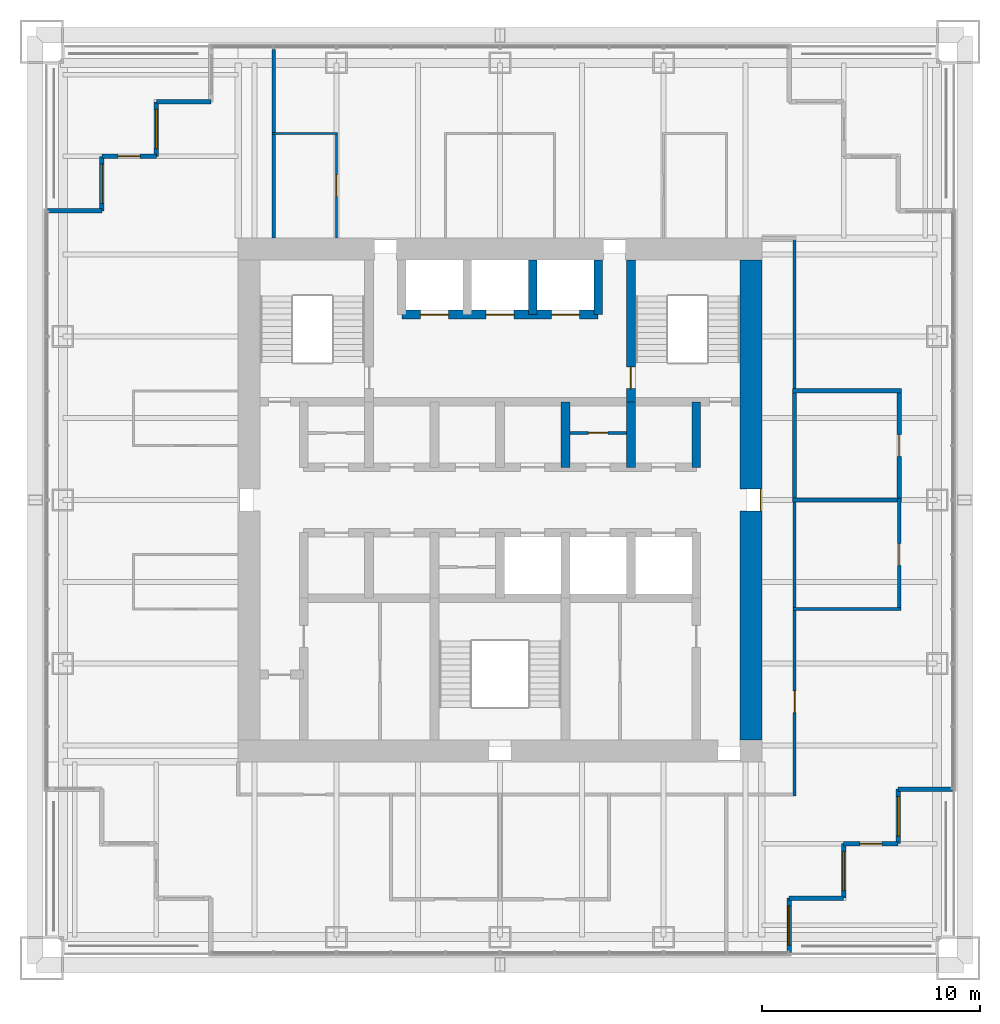
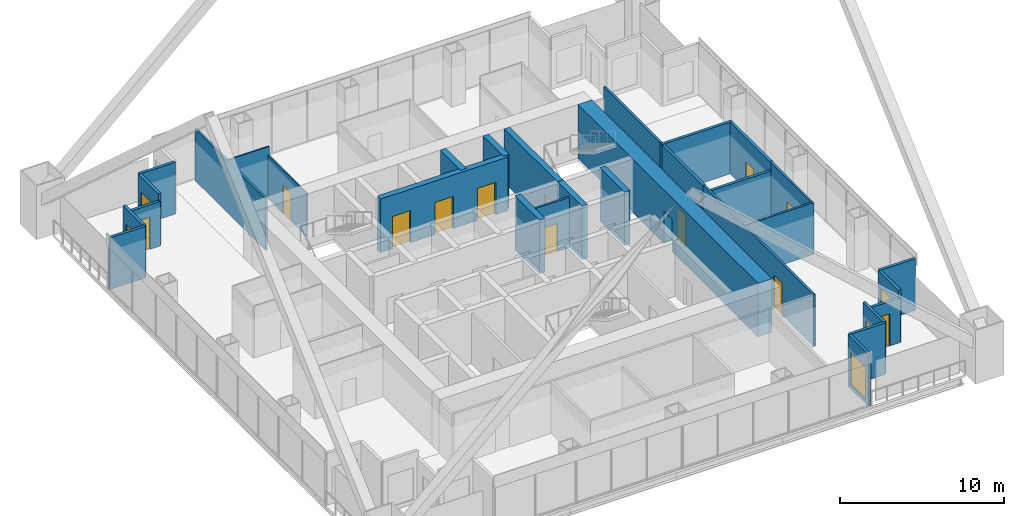
# One storey, part 15 of 18: 31 walls, 12 doors, 5 windows, 17 openings.
"""IFC4 building model written with IfcOpenShell, lengths in metres."""

from ifc_helpers import new_model, si_unit, direction, frame, frame_2d, origin, place, context, subcontext, project, spatial, rectangle, extrude, material, layer, layer_set, type_object, element, fill, save


model = new_model("IFC4")

# Units and contexts
model_context = context("Model", 3, precision=1e-05, world=origin(), true_north=direction((0.0, 1.0)))
body_context = subcontext(model_context, "Body", "Model", "MODEL_VIEW")
ifc_project = project(units=[si_unit("LENGTHUNIT", "METRE"), si_unit("AREAUNIT", "SQUARE_METRE"), si_unit("VOLUMEUNIT", "CUBIC_METRE"), si_unit("PLANEANGLEUNIT", "RADIAN"), si_unit("MASSUNIT", "GRAM", prefix="KILO")], contexts=[model_context])

# Site, building, storey
site_placement = place(None, origin())
site = spatial("IfcSite", under=ifc_project, at=site_placement, CompositionType="ELEMENT")
building_placement = place(site_placement, origin())
building = spatial("IfcBuilding", under=site, at=building_placement, Name="Tarangal Relay Tower", CompositionType="ELEMENT")
storey_placement = place(building_placement, frame((0.0, 0.0, 295.89990234375)))
storey = spatial("IfcBuildingStorey", under=building, at=storey_placement, Name="L65", CompositionType="ELEMENT", Elevation=295.89990234375)

# Walls
ifc_material_1 = material(Name="Two layers gypsum board each side on twin steel studs, mineral wool", Category="steel")
ifc_layer_1 = layer(ifc_material_1, 0.199951171875)
ifc_layer_set_1 = layer_set([ifc_layer_1], Name="Acoustic partition 200")
wall_type_1 = type_object("IfcWallType", Name="Acoustic partition 200", PredefinedType="PARTITIONING", material=ifc_layer_set_1)
wall_1_placement = place(storey_placement, frame((13.39990234375, 0.0, 0.0), z_axis=(0.0, 0.0, 1.0), x_axis=(1.0, 0.0, 0.0)))
element("IfcWall", 1, at=wall_1_placement, inside=storey, type_object=wall_type_1, Name="Partition PT2 L65", PredefinedType="PARTITIONING", context=body_context, shape_type="SweptSolid", body=[
    extrude(rectangle(XDim=5.0, YDim=0.199951171875, at=frame_2d((2.5, 0.0))), origin(), (0.0, 0.0, 1.0), 3.2431640625),
])
wall_2_placement = place(storey_placement, frame((13.39990234375, 5.0, 0.0), z_axis=(0.0, 0.0, 1.0), x_axis=(1.0, 0.0, 0.0)))
element("IfcWall", 2, at=wall_2_placement, inside=storey, type_object=wall_type_1, Name="Partition PT2 L65", PredefinedType="PARTITIONING", context=body_context, shape_type="SweptSolid", body=[
    extrude(rectangle(XDim=5.0, YDim=0.199951171875, at=frame_2d((2.5, 0.0))), origin(), (0.0, 0.0, 1.0), 3.85009765625),
])
wall_3_placement = place(storey_placement, frame((13.5, -0.10009765625, 0.0), z_axis=(0.0, 0.0, 1.0), x_axis=(0.0, 1.0, 0.0)))
element("IfcWall", 3, at=wall_3_placement, inside=storey, type_object=wall_type_1, Name="Partition PT2 L65", PredefinedType="PARTITIONING", context=body_context, shape_type="SweptSolid", body=[
    extrude(rectangle(XDim=5.2001953125, YDim=0.199951171875, at=frame_2d((2.60009765625, 0.0))), origin(), (0.0, 0.0, 1.0), 3.85009765625),
])

# Wall, opening, door
wall_4_placement = place(storey_placement, frame((18.300048828125, -0.10009765625, 0.0), z_axis=(0.0, 0.0, 1.0), x_axis=(0.0, 1.0, 0.0)))
wall_4 = element("IfcWall", 4, at=wall_4_placement, inside=storey, type_object=wall_type_1, Name="Partition PT2 L65", PredefinedType="PARTITIONING", context=body_context, shape_type="SweptSolid", body=[
    extrude(rectangle(XDim=5.2001953125, YDim=0.199951171875, at=frame_2d((2.60009765625, 0.0))), origin(), (0.0, 0.0, 1.0), 3.85009765625),
])
opening_1_placement = place(wall_4_placement, frame((2.10009765625, 0.0, 0.0)))
opening_1 = element("IfcOpeningElement", 5, at=opening_1_placement, cuts=wall_4, Name="Opening D2", PredefinedType="OPENING", context=body_context, shape_type="SweptSolid", body=[
    extrude(rectangle(XDim=1.0, YDim=2.10009765625, at=frame_2d((0.5, 1.050048828125))), frame((0.0, 0.10986328125, 0.0), z_axis=(0.0, -1.0, 0.0), x_axis=(1.0, 0.0, 0.0)), (0.0, 0.0, 1.0), 0.219970703125),
])
ifc_material_2 = material(Name="Hardwood door", Category="wood")
door_type_1 = type_object("IfcDoorType", Name="Door 1000 x 2100", OperationType="SINGLE_SWING_LEFT", PredefinedType="DOOR", material=ifc_material_2)
door_1_placement = place(opening_1_placement, origin())
door_1 = element("IfcDoor", 6, at=door_1_placement, inside=storey, type_object=door_type_1, Name="Door D2 to wellness room L65-05", OperationType="SINGLE_SWING_LEFT", OverallHeight=2.10009765625, OverallWidth=1.0, PredefinedType="DOOR", context=body_context, shape_type="SweptSolid", body=[
    extrude(rectangle(XDim=1.0, YDim=2.10009765625, at=frame_2d((0.5, 1.050048828125))), frame((0.0, 0.02490234375, 0.0), z_axis=(0.0, -1.0, 0.0), x_axis=(1.0, 0.0, 0.0)), (0.0, 0.0, 1.0), 0.050048828125),
])
fill(opening_1, door_1)

# Wall, openings, doors
ifc_material_3 = material(Name="Concrete fc' 60 MPa", Category="concrete")
ifc_layer_2 = layer(ifc_material_3, 0.39990234375)
ifc_layer_set_2 = layer_set([ifc_layer_2], Name="Core inner wall 400")
wall_type_2 = type_object("IfcWallType", Name="Core inner wall 400", PredefinedType="SHEAR", material=ifc_layer_set_2)
wall_5_placement = place(storey_placement, frame((-4.5, 8.5, 0.0), z_axis=(0.0, 0.0, 1.0), x_axis=(1.0, 0.0, 0.0)))
wall_5 = element("IfcWall", 7, at=wall_5_placement, inside=storey, type_object=wall_type_2, Name="Core wall Y85 L65", PredefinedType="SHEAR", context=body_context, shape_type="SweptSolid", body=[
    extrude(rectangle(XDim=9.0, YDim=0.39990234375, at=frame_2d((4.5, 0.0))), origin(), (0.0, 0.0, 1.0), 4.0),
])
opening_2_placement = place(wall_5_placement, frame((0.85009765625, 0.0, 0.0)))
opening_2 = element("IfcOpeningElement", 8, at=opening_2_placement, cuts=wall_5, Name="Opening LD2", PredefinedType="OPENING", context=body_context, shape_type="SweptSolid", body=[
    extrude(rectangle(XDim=1.300048828125, YDim=2.39990234375, at=frame_2d((0.64990234375, 1.199951171875))), frame((0.0, 0.2099609375, 0.0), z_axis=(0.0, -1.0, 0.0), x_axis=(1.0, 0.0, 0.0)), (0.0, 0.0, 1.0), 0.419921875),
])
opening_3_placement = place(wall_5_placement, frame((6.85009765625, 0.0, 0.0)))
opening_3 = element("IfcOpeningElement", 9, at=opening_3_placement, cuts=wall_5, Name="Opening LD2", PredefinedType="OPENING", context=body_context, shape_type="SweptSolid", body=[
    extrude(rectangle(XDim=1.300048828125, YDim=2.39990234375, at=frame_2d((0.64990234375, 1.199951171875))), frame((0.0, 0.2099609375, 0.0), z_axis=(0.0, -1.0, 0.0), x_axis=(1.0, 0.0, 0.0)), (0.0, 0.0, 1.0), 0.419921875),
])
opening_4_placement = place(wall_5_placement, frame((3.85009765625, 0.0, 0.0)))
opening_4 = element("IfcOpeningElement", 10, at=opening_4_placement, cuts=wall_5, Name="Opening LD2", PredefinedType="OPENING", context=body_context, shape_type="SweptSolid", body=[
    extrude(rectangle(XDim=1.300048828125, YDim=2.39990234375, at=frame_2d((0.64990234375, 1.199951171875))), frame((0.0, 0.2099609375, 0.0), z_axis=(0.0, -1.0, 0.0), x_axis=(1.0, 0.0, 0.0)), (0.0, 0.0, 1.0), 0.419921875),
])
ifc_material_4 = material(Name="Steel door with hardwood frame", Category="steel")
door_type_2 = type_object("IfcDoorType", Name="Lift landing door 1300 x 2400", OperationType="SLIDING_TO_LEFT", PredefinedType="DOOR", material=ifc_material_4)
door_2_placement = place(opening_2_placement, origin())
door_2 = element("IfcDoor", 11, at=door_2_placement, inside=storey, type_object=door_type_2, Name="Lift FF1 landing door L65", OperationType="SLIDING_TO_LEFT", OverallHeight=2.39990234375, OverallWidth=1.300048828125, PredefinedType="DOOR", context=body_context, shape_type="SweptSolid", body=[
    extrude(rectangle(XDim=1.300048828125, YDim=2.39990234375, at=frame_2d((0.64990234375, 1.199951171875))), frame((0.0, 0.02490234375, 0.0), z_axis=(0.0, -1.0, 0.0), x_axis=(1.0, 0.0, 0.0)), (0.0, 0.0, 1.0), 0.050048828125),
])
fill(opening_2, door_2)
door_3_placement = place(opening_3_placement, origin())
door_3 = element("IfcDoor", 12, at=door_3_placement, inside=storey, type_object=door_type_2, Name="Lift FF2 landing door L65", OperationType="SLIDING_TO_LEFT", OverallHeight=2.39990234375, OverallWidth=1.300048828125, PredefinedType="DOOR", context=body_context, shape_type="SweptSolid", body=[
    extrude(rectangle(XDim=1.300048828125, YDim=2.39990234375, at=frame_2d((0.64990234375, 1.199951171875))), frame((0.0, 0.02490234375, 0.0), z_axis=(0.0, -1.0, 0.0), x_axis=(1.0, 0.0, 0.0)), (0.0, 0.0, 1.0), 0.050048828125),
])
fill(opening_3, door_3)
door_4_placement = place(opening_4_placement, origin())
door_4 = element("IfcDoor", 13, at=door_4_placement, inside=storey, type_object=door_type_2, Name="Lift SV1 landing door L65", OperationType="SLIDING_TO_LEFT", OverallHeight=2.39990234375, OverallWidth=1.300048828125, PredefinedType="DOOR", context=body_context, shape_type="SweptSolid", body=[
    extrude(rectangle(XDim=1.300048828125, YDim=2.39990234375, at=frame_2d((0.64990234375, 1.199951171875))), frame((0.0, 0.02490234375, 0.0), z_axis=(0.0, -1.0, 0.0), x_axis=(1.0, 0.0, 0.0)), (0.0, 0.0, 1.0), 0.050048828125),
])
fill(opening_4, door_4)

# Walls
for number, where, z_axis, x_axis, name in (
    (14, (9.0, 1.5, 0.0), (0.0, 0.0, 1.0), (0.0, 1.0, 0.0), "Core wall X9N L65"),
    (15, (3.0, 1.5, 0.0), (0.0, 0.0, 1.0), (0.0, 1.0, 0.0), "Core wall X3N L65"),
    (16, (6.0, 1.5, 0.0), (0.0, 0.0, 1.0), (0.0, 1.0, 0.0), "Core wall X6N L65"),
):
    element("IfcWall", number, at=place(storey_placement, frame(where, z_axis=z_axis, x_axis=x_axis)), inside=storey, type_object=wall_type_2, Name=name, PredefinedType="SHEAR", context=body_context, shape_type="SweptSolid", body=[
        extrude(rectangle(XDim=3.0, YDim=0.39990234375, at=frame_2d((1.5, 0.0))), origin(), (0.0, 0.0, 1.0), 4.0),
    ])

# Wall, opening, door
wall_6_placement = place(storey_placement, frame((6.0, 4.5, 0.0), z_axis=(0.0, 0.0, 1.0), x_axis=(0.0, 1.0, 0.0)))
wall_6 = element("IfcWall", 17, at=wall_6_placement, inside=storey, type_object=wall_type_2, Name="Core wall X6 L65", PredefinedType="SHEAR", context=body_context, shape_type="SweptSolid", body=[
    extrude(rectangle(XDim=6.5, YDim=0.39990234375, at=frame_2d((3.25, 0.0))), origin(), (0.0, 0.0, 1.0), 4.0),
])
opening_5_placement = place(wall_6_placement, frame((0.60009765625, 0.0, 0.0)))
opening_5 = element("IfcOpeningElement", 18, at=opening_5_placement, cuts=wall_6, Name="Opening FD1", PredefinedType="OPENING", context=body_context, shape_type="SweptSolid", body=[
    extrude(rectangle(XDim=1.0, YDim=2.10009765625, at=frame_2d((0.5, 1.050048828125))), frame((0.0, 0.2099609375, 0.0), z_axis=(0.0, -1.0, 0.0), x_axis=(1.0, 0.0, 0.0)), (0.0, 0.0, 1.0), 0.419921875),
])
door_type_3 = type_object("IfcDoorType", Name="Fire door 1000 x 2100", OperationType="SINGLE_SWING_LEFT", PredefinedType="DOOR", material=ifc_material_4)
door_5_placement = place(opening_5_placement, origin())
door_5 = element("IfcDoor", 19, at=door_5_placement, inside=storey, type_object=door_type_3, Name="Stair ST-B door from fire-fighting lobby L65", OperationType="SINGLE_SWING_LEFT", OverallHeight=2.10009765625, OverallWidth=1.0, PredefinedType="DOOR", context=body_context, shape_type="SweptSolid", body=[
    extrude(rectangle(XDim=1.0, YDim=2.10009765625, at=frame_2d((0.5, 1.050048828125))), frame((0.0, 0.02490234375, 0.0), z_axis=(0.0, -1.0, 0.0), x_axis=(1.0, 0.0, 0.0)), (0.0, 0.0, 1.0), 0.050048828125),
])
fill(opening_5, door_5)

# Walls
for number, where, z_axis, x_axis, name in (
    (20, (4.5, 8.5, 0.0), (0.0, 0.0, 1.0), (0.0, 1.0, 0.0), "Core wall X45 L65"),
    (21, (1.5, 8.5, 0.0), (0.0, 0.0, 1.0), (0.0, 1.0, 0.0), "Core wall X15 L65"),
):
    element("IfcWall", number, at=place(storey_placement, frame(where, z_axis=z_axis, x_axis=x_axis)), inside=storey, type_object=wall_type_2, Name=name, PredefinedType="SHEAR", context=body_context, shape_type="SweptSolid", body=[
        extrude(rectangle(XDim=2.5, YDim=0.39990234375, at=frame_2d((1.25, 0.0))), origin(), (0.0, 0.0, 1.0), 4.0),
    ])

# Wall, opening, door
ifc_layer_3 = layer(ifc_material_3, 1.0)
ifc_layer_set_3 = layer_set([ifc_layer_3], Name="Core wall 1000")
wall_type_3 = type_object("IfcWallType", Name="Core wall 1000", PredefinedType="SHEAR", material=ifc_layer_set_3)
wall_7_placement = place(storey_placement, frame((11.5, 11.0, 0.0), z_axis=(0.0, 0.0, 1.0), x_axis=(0.0, -1.0, 0.0)))
wall_7 = element("IfcWall", 22, at=wall_7_placement, inside=storey, type_object=wall_type_3, Name="Core wall E L65", PredefinedType="SHEAR", context=body_context, shape_type="SweptSolid", body=[
    extrude(rectangle(XDim=22.0, YDim=1.0, at=frame_2d((11.0, 0.0))), origin(), (0.0, 0.0, 1.0), 4.0),
])
opening_6_placement = place(wall_7_placement, frame((10.5, 0.0, 0.0)))
opening_6 = element("IfcOpeningElement", 23, at=opening_6_placement, cuts=wall_7, Name="Opening FD3", PredefinedType="OPENING", context=body_context, shape_type="SweptSolid", body=[
    extrude(rectangle(XDim=1.0, YDim=2.39990234375, at=frame_2d((0.5, 1.199951171875))), frame((0.0, 0.510009765625, 0.0), z_axis=(0.0, -1.0, 0.0), x_axis=(1.0, 0.0, 0.0)), (0.0, 0.0, 1.0), 1.02001953125),
])
door_type_4 = type_object("IfcDoorType", Name="Fire door 1000 x 2400 core entry", OperationType="SINGLE_SWING_RIGHT", PredefinedType="DOOR", material=ifc_material_4)
door_6_placement = place(opening_6_placement, origin())
door_6 = element("IfcDoor", 24, at=door_6_placement, inside=storey, type_object=door_type_4, Name="Core entry door east L65", OperationType="SINGLE_SWING_RIGHT", OverallHeight=2.39990234375, OverallWidth=1.0, PredefinedType="DOOR", context=body_context, shape_type="SweptSolid", body=[
    extrude(rectangle(XDim=1.0, YDim=2.39990234375, at=frame_2d((0.5, 1.199951171875))), frame((0.0, 0.48486328125, 0.0), z_axis=(0.0, -1.0, 0.0), x_axis=(1.0, 0.0, 0.0)), (0.0, 0.0, 1.0), 0.050048828125),
])
fill(opening_6, door_6)

# Wall
ifc_material_5 = material(Name="Black metal clad insulated wall", Category="steel")
ifc_layer_4 = layer(ifc_material_5, 0.199951171875)
ifc_layer_set_4 = layer_set([ifc_layer_4], Name="Corner wall metal clad 200")
wall_type_4 = type_object("IfcWallType", Name="Corner wall metal clad 200", PredefinedType="SOLIDWALL", material=ifc_layer_set_4)
wall_8_placement = place(storey_placement, frame((20.75, -13.25, 0.0), z_axis=(0.0, 0.0, 1.0), x_axis=(-1.0, 0.0, 0.0)))
element("IfcWall", 25, at=wall_8_placement, inside=storey, type_object=wall_type_4, Name="Facade wall E facade L65", PredefinedType="SOLIDWALL", context=body_context, shape_type="SweptSolid", body=[
    extrude(rectangle(XDim=2.5, YDim=0.199951171875, at=frame_2d((1.25, 0.0))), origin(), (0.0, 0.0, 1.0), 3.85009765625),
])

# Wall, opening, window
wall_9_placement = place(storey_placement, frame((18.25, -13.25, 0.0), z_axis=(0.0, 0.0, 1.0), x_axis=(0.0, -1.0, 0.0)))
wall_9 = element("IfcWall", 26, at=wall_9_placement, inside=storey, type_object=wall_type_4, Name="Facade wall E facade L65", PredefinedType="SOLIDWALL", context=body_context, shape_type="SweptSolid", body=[
    extrude(rectangle(XDim=2.5, YDim=0.199951171875, at=frame_2d((1.25, 0.0))), origin(), (0.0, 0.0, 1.0), 3.85009765625),
])
opening_7_placement = place(wall_9_placement, frame((0.35009765625, 0.0, 0.300048828125)))
opening_7 = element("IfcOpeningElement", 27, at=opening_7_placement, cuts=wall_9, Name="Opening WN2", PredefinedType="OPENING", context=body_context, shape_type="SweptSolid", body=[
    extrude(rectangle(XDim=1.800048828125, YDim=2.39990234375, at=frame_2d((0.89990234375, 1.199951171875))), frame((0.0, 0.10986328125, 0.0), z_axis=(0.0, -1.0, 0.0), x_axis=(1.0, 0.0, 0.0)), (0.0, 0.0, 1.0), 0.219970703125),
])
ifc_material_6 = material(Name="Dark tinted double glazing in black aluminium frame", Category="aluminium")
window_type = type_object("IfcWindowType", Name="Corner window 1800 x 2400", PartitioningType="SINGLE_PANEL", PredefinedType="WINDOW", material=ifc_material_6)
window_1_placement = place(opening_7_placement, origin())
window_1 = element("IfcWindow", 28, at=window_1_placement, inside=storey, type_object=window_type, Name="Corner window WN2 E facade L65", OverallHeight=2.39990234375, OverallWidth=1.800048828125, PartitioningType="SINGLE_PANEL", PredefinedType="WINDOW", context=body_context, shape_type="SweptSolid", body=[
    extrude(rectangle(XDim=1.800048828125, YDim=2.39990234375, at=frame_2d((0.89990234375, 1.199951171875))), frame((0.0, 0.030029296875, 0.0), z_axis=(0.0, -1.0, 0.0), x_axis=(1.0, 0.0, 0.0)), (0.0, 0.0, 1.0), 0.06005859375),
])
fill(opening_7, window_1)

# Wall, opening, door
wall_10_placement = place(storey_placement, frame((18.25, -15.75, 0.0), z_axis=(0.0, 0.0, 1.0), x_axis=(-1.0, 0.0, 0.0)))
wall_10 = element("IfcWall", 29, at=wall_10_placement, inside=storey, type_object=wall_type_4, Name="Facade wall E facade L65", PredefinedType="SOLIDWALL", context=body_context, shape_type="SweptSolid", body=[
    extrude(rectangle(XDim=2.5, YDim=0.199951171875, at=frame_2d((1.25, 0.0))), origin(), (0.0, 0.0, 1.0), 3.316650390625),
])
opening_8_placement = place(wall_10_placement, frame((0.75, 0.0, 0.0)))
opening_8 = element("IfcOpeningElement", 30, at=opening_8_placement, cuts=wall_10, Name="Opening TD1", PredefinedType="OPENING", context=body_context, shape_type="SweptSolid", body=[
    extrude(rectangle(XDim=1.0, YDim=2.39990234375, at=frame_2d((0.5, 1.199951171875))), frame((0.0, 0.10986328125, 0.0), z_axis=(0.0, -1.0, 0.0), x_axis=(1.0, 0.0, 0.0)), (0.0, 0.0, 1.0), 0.219970703125),
])
ifc_material_7 = material(Name="Aluminium glazed door", Category="aluminium")
door_type_5 = type_object("IfcDoorType", Name="Terrace door 1000 x 2400", OperationType="SINGLE_SWING_RIGHT", PredefinedType="DOOR", material=ifc_material_7)
door_7_placement = place(opening_8_placement, origin())
door_7 = element("IfcDoor", 31, at=door_7_placement, inside=storey, type_object=door_type_5, Name="Terrace door TD1 SE L65", OperationType="SINGLE_SWING_RIGHT", OverallHeight=2.39990234375, OverallWidth=1.0, PredefinedType="DOOR", context=body_context, shape_type="SweptSolid", body=[
    extrude(rectangle(XDim=1.0, YDim=2.39990234375, at=frame_2d((0.5, 1.199951171875))), frame((0.0, 0.02490234375, 0.0), z_axis=(0.0, -1.0, 0.0), x_axis=(1.0, 0.0, 0.0)), (0.0, 0.0, 1.0), 0.050048828125),
])
fill(opening_8, door_7)

# Wall, opening, window
wall_11_placement = place(storey_placement, frame((15.75, -15.75, 0.0), z_axis=(0.0, 0.0, 1.0), x_axis=(0.0, -1.0, 0.0)))
wall_11 = element("IfcWall", 32, at=wall_11_placement, inside=storey, type_object=wall_type_4, Name="Facade wall E facade L65", PredefinedType="SOLIDWALL", context=body_context, shape_type="SweptSolid", body=[
    extrude(rectangle(XDim=2.5, YDim=0.199951171875, at=frame_2d((1.25, 0.0))), origin(), (0.0, 0.0, 1.0), 3.85009765625),
])
opening_9_placement = place(wall_11_placement, frame((0.35009765625, 0.0, 0.300048828125)))
opening_9 = element("IfcOpeningElement", 33, at=opening_9_placement, cuts=wall_11, Name="Opening WN2", PredefinedType="OPENING", context=body_context, shape_type="SweptSolid", body=[
    extrude(rectangle(XDim=1.800048828125, YDim=2.39990234375, at=frame_2d((0.89990234375, 1.199951171875))), frame((0.0, 0.10986328125, 0.0), z_axis=(0.0, -1.0, 0.0), x_axis=(1.0, 0.0, 0.0)), (0.0, 0.0, 1.0), 0.219970703125),
])
window_2_placement = place(opening_9_placement, origin())
window_2 = element("IfcWindow", 34, at=window_2_placement, inside=storey, type_object=window_type, Name="Corner window WN2 E facade L65", OverallHeight=2.39990234375, OverallWidth=1.800048828125, PartitioningType="SINGLE_PANEL", PredefinedType="WINDOW", context=body_context, shape_type="SweptSolid", body=[
    extrude(rectangle(XDim=1.800048828125, YDim=2.39990234375, at=frame_2d((0.89990234375, 1.199951171875))), frame((0.0, 0.030029296875, 0.0), z_axis=(0.0, -1.0, 0.0), x_axis=(1.0, 0.0, 0.0)), (0.0, 0.0, 1.0), 0.06005859375),
])
fill(opening_9, window_2)

# Wall
wall_12_placement = place(storey_placement, frame((15.75, -18.25, 0.0), z_axis=(0.0, 0.0, 1.0), x_axis=(-1.0, 0.0, 0.0)))
element("IfcWall", 35, at=wall_12_placement, inside=storey, type_object=wall_type_4, Name="Facade wall E facade L65", PredefinedType="SOLIDWALL", context=body_context, shape_type="SweptSolid", body=[
    extrude(rectangle(XDim=2.5, YDim=0.199951171875, at=frame_2d((1.25, 0.0))), origin(), (0.0, 0.0, 1.0), 3.85009765625),
])

# Wall, opening, window
wall_13_placement = place(storey_placement, frame((13.25, -18.25, 0.0), z_axis=(0.0, 0.0, 1.0), x_axis=(0.0, -1.0, 0.0)))
wall_13 = element("IfcWall", 36, at=wall_13_placement, inside=storey, type_object=wall_type_4, Name="Facade wall E facade L65", PredefinedType="SOLIDWALL", context=body_context, shape_type="SweptSolid", body=[
    extrude(rectangle(XDim=2.5, YDim=0.199951171875, at=frame_2d((1.25, 0.0))), origin(), (0.0, 0.0, 1.0), 3.85009765625),
])
opening_10_placement = place(wall_13_placement, frame((0.35009765625, 0.0, 0.300048828125)))
opening_10 = element("IfcOpeningElement", 37, at=opening_10_placement, cuts=wall_13, Name="Opening WN2", PredefinedType="OPENING", context=body_context, shape_type="SweptSolid", body=[
    extrude(rectangle(XDim=1.800048828125, YDim=2.39990234375, at=frame_2d((0.89990234375, 1.199951171875))), frame((0.0, 0.10986328125, 0.0), z_axis=(0.0, -1.0, 0.0), x_axis=(1.0, 0.0, 0.0)), (0.0, 0.0, 1.0), 0.219970703125),
])
window_3_placement = place(opening_10_placement, origin())
window_3 = element("IfcWindow", 38, at=window_3_placement, inside=storey, type_object=window_type, Name="Corner window WN2 E facade L65", OverallHeight=2.39990234375, OverallWidth=1.800048828125, PartitioningType="SINGLE_PANEL", PredefinedType="WINDOW", context=body_context, shape_type="SweptSolid", body=[
    extrude(rectangle(XDim=1.800048828125, YDim=2.39990234375, at=frame_2d((0.89990234375, 1.199951171875))), frame((0.0, 0.030029296875, 0.0), z_axis=(0.0, -1.0, 0.0), x_axis=(1.0, 0.0, 0.0)), (0.0, 0.0, 1.0), 0.06005859375),
])
fill(opening_10, window_3)

# Wall
wall_14_placement = place(storey_placement, frame((-20.75, 13.25, 0.0), z_axis=(0.0, 0.0, 1.0), x_axis=(1.0, 0.0, 0.0)))
element("IfcWall", 39, at=wall_14_placement, inside=storey, type_object=wall_type_4, Name="Facade wall W facade L65", PredefinedType="SOLIDWALL", context=body_context, shape_type="SweptSolid", body=[
    extrude(rectangle(XDim=2.5, YDim=0.199951171875, at=frame_2d((1.25, 0.0))), origin(), (0.0, 0.0, 1.0), 3.85009765625),
])

# Wall, opening, window
wall_15_placement = place(storey_placement, frame((-18.25, 13.25, 0.0), z_axis=(0.0, 0.0, 1.0), x_axis=(0.0, 1.0, 0.0)))
wall_15 = element("IfcWall", 40, at=wall_15_placement, inside=storey, type_object=wall_type_4, Name="Facade wall W facade L65", PredefinedType="SOLIDWALL", context=body_context, shape_type="SweptSolid", body=[
    extrude(rectangle(XDim=2.5, YDim=0.199951171875, at=frame_2d((1.25, 0.0))), origin(), (0.0, 0.0, 1.0), 3.85009765625),
])
opening_11_placement = place(wall_15_placement, frame((0.35009765625, 0.0, 0.300048828125)))
opening_11 = element("IfcOpeningElement", 41, at=opening_11_placement, cuts=wall_15, Name="Opening WN2", PredefinedType="OPENING", context=body_context, shape_type="SweptSolid", body=[
    extrude(rectangle(XDim=1.800048828125, YDim=2.39990234375, at=frame_2d((0.89990234375, 1.199951171875))), frame((0.0, 0.10986328125, 0.0), z_axis=(0.0, -1.0, 0.0), x_axis=(1.0, 0.0, 0.0)), (0.0, 0.0, 1.0), 0.219970703125),
])
window_4_placement = place(opening_11_placement, origin())
window_4 = element("IfcWindow", 42, at=window_4_placement, inside=storey, type_object=window_type, Name="Corner window WN2 W facade L65", OverallHeight=2.39990234375, OverallWidth=1.800048828125, PartitioningType="SINGLE_PANEL", PredefinedType="WINDOW", context=body_context, shape_type="SweptSolid", body=[
    extrude(rectangle(XDim=1.800048828125, YDim=2.39990234375, at=frame_2d((0.89990234375, 1.199951171875))), frame((0.0, 0.030029296875, 0.0), z_axis=(0.0, -1.0, 0.0), x_axis=(1.0, 0.0, 0.0)), (0.0, 0.0, 1.0), 0.06005859375),
])
fill(opening_11, window_4)

# Wall, opening, door
wall_16_placement = place(storey_placement, frame((-18.25, 15.75, 0.0), z_axis=(0.0, 0.0, 1.0), x_axis=(1.0, 0.0, 0.0)))
wall_16 = element("IfcWall", 43, at=wall_16_placement, inside=storey, type_object=wall_type_4, Name="Facade wall W facade L65", PredefinedType="SOLIDWALL", context=body_context, shape_type="SweptSolid", body=[
    extrude(rectangle(XDim=2.5, YDim=0.199951171875, at=frame_2d((1.25, 0.0))), origin(), (0.0, 0.0, 1.0), 3.316650390625),
])
opening_12_placement = place(wall_16_placement, frame((0.75, 0.0, 0.0)))
opening_12 = element("IfcOpeningElement", 44, at=opening_12_placement, cuts=wall_16, Name="Opening TD1", PredefinedType="OPENING", context=body_context, shape_type="SweptSolid", body=[
    extrude(rectangle(XDim=1.0, YDim=2.39990234375, at=frame_2d((0.5, 1.199951171875))), frame((0.0, 0.10986328125, 0.0), z_axis=(0.0, -1.0, 0.0), x_axis=(1.0, 0.0, 0.0)), (0.0, 0.0, 1.0), 0.219970703125),
])
door_8_placement = place(opening_12_placement, origin())
door_8 = element("IfcDoor", 45, at=door_8_placement, inside=storey, type_object=door_type_5, Name="Terrace door TD1 NW L65", OperationType="SINGLE_SWING_RIGHT", OverallHeight=2.39990234375, OverallWidth=1.0, PredefinedType="DOOR", context=body_context, shape_type="SweptSolid", body=[
    extrude(rectangle(XDim=1.0, YDim=2.39990234375, at=frame_2d((0.5, 1.199951171875))), frame((0.0, 0.02490234375, 0.0), z_axis=(0.0, -1.0, 0.0), x_axis=(1.0, 0.0, 0.0)), (0.0, 0.0, 1.0), 0.050048828125),
])
fill(opening_12, door_8)

# Wall, opening, window
wall_17_placement = place(storey_placement, frame((-15.75, 15.75, 0.0), z_axis=(0.0, 0.0, 1.0), x_axis=(0.0, 1.0, 0.0)))
wall_17 = element("IfcWall", 46, at=wall_17_placement, inside=storey, type_object=wall_type_4, Name="Facade wall W facade L65", PredefinedType="SOLIDWALL", context=body_context, shape_type="SweptSolid", body=[
    extrude(rectangle(XDim=2.5, YDim=0.199951171875, at=frame_2d((1.25, 0.0))), origin(), (0.0, 0.0, 1.0), 3.85009765625),
])
opening_13_placement = place(wall_17_placement, frame((0.35009765625, 0.0, 0.300048828125)))
opening_13 = element("IfcOpeningElement", 47, at=opening_13_placement, cuts=wall_17, Name="Opening WN2", PredefinedType="OPENING", context=body_context, shape_type="SweptSolid", body=[
    extrude(rectangle(XDim=1.800048828125, YDim=2.39990234375, at=frame_2d((0.89990234375, 1.199951171875))), frame((0.0, 0.10986328125, 0.0), z_axis=(0.0, -1.0, 0.0), x_axis=(1.0, 0.0, 0.0)), (0.0, 0.0, 1.0), 0.219970703125),
])
window_5_placement = place(opening_13_placement, origin())
window_5 = element("IfcWindow", 48, at=window_5_placement, inside=storey, type_object=window_type, Name="Corner window WN2 W facade L65", OverallHeight=2.39990234375, OverallWidth=1.800048828125, PartitioningType="SINGLE_PANEL", PredefinedType="WINDOW", context=body_context, shape_type="SweptSolid", body=[
    extrude(rectangle(XDim=1.800048828125, YDim=2.39990234375, at=frame_2d((0.89990234375, 1.199951171875))), frame((0.0, 0.030029296875, 0.0), z_axis=(0.0, -1.0, 0.0), x_axis=(1.0, 0.0, 0.0)), (0.0, 0.0, 1.0), 0.06005859375),
])
fill(opening_13, window_5)

# Walls
wall_18_placement = place(storey_placement, frame((-15.75, 18.25, 0.0), z_axis=(0.0, 0.0, 1.0), x_axis=(1.0, 0.0, 0.0)))
element("IfcWall", 49, at=wall_18_placement, inside=storey, type_object=wall_type_4, Name="Facade wall W facade L65", PredefinedType="SOLIDWALL", context=body_context, shape_type="SweptSolid", body=[
    extrude(rectangle(XDim=2.5, YDim=0.199951171875, at=frame_2d((1.25, 0.0))), origin(), (0.0, 0.0, 1.0), 3.85009765625),
])
ifc_material_8 = material(Name="Double glazed aluminium framed partition", Category="aluminium")
ifc_layer_5 = layer(ifc_material_8, 0.10009765625)
ifc_layer_set_5 = layer_set([ifc_layer_5], Name="Glazed partition 100")
wall_type_5 = type_object("IfcWallType", Name="Glazed partition 100", PredefinedType="PARTITIONING", material=ifc_layer_set_5)
wall_19_placement = place(storey_placement, frame((-10.425048828125, 16.800048828125, 0.0), z_axis=(0.0, 0.0, 1.0), x_axis=(1.0, 0.0, 0.0)))
element("IfcWall", 50, at=wall_19_placement, inside=storey, type_object=wall_type_5, Name="Partition PT3 L65", PredefinedType="PARTITIONING", context=body_context, shape_type="SweptSolid", body=[
    extrude(rectangle(XDim=2.97509765625, YDim=0.10009765625, at=frame_2d((1.487548828125, 0.0))), origin(), (0.0, 0.0, 1.0), 3.85009765625),
])

# Wall, opening, door
wall_20_placement = place(storey_placement, frame((-7.5, 12.0, 0.0), z_axis=(0.0, 0.0, 1.0), x_axis=(0.0, 1.0, 0.0)))
wall_20 = element("IfcWall", 51, at=wall_20_placement, inside=storey, type_object=wall_type_5, Name="Partition PT3 L65", PredefinedType="PARTITIONING", context=body_context, shape_type="SweptSolid", body=[
    extrude(rectangle(XDim=4.85009765625, YDim=0.10009765625, at=frame_2d((2.425048828125, 0.0))), origin(), (0.0, 0.0, 1.0), 3.2431640625),
])
opening_14_placement = place(wall_20_placement, frame((1.89990234375, 0.0, 0.0)))
opening_14 = element("IfcOpeningElement", 52, at=opening_14_placement, cuts=wall_20, Name="Opening D3", PredefinedType="OPENING", context=body_context, shape_type="SweptSolid", body=[
    extrude(rectangle(XDim=1.0, YDim=2.10009765625, at=frame_2d((0.5, 1.050048828125))), frame((0.0, 0.06005859375, 0.0), z_axis=(0.0, -1.0, 0.0), x_axis=(1.0, 0.0, 0.0)), (0.0, 0.0, 1.0), 0.1201171875),
])
ifc_material_9 = material(Name="Frameless glass door", Category="glass")
door_type_6 = type_object("IfcDoorType", Name="Glazed door 1000 x 2100", OperationType="SINGLE_SWING_LEFT", PredefinedType="DOOR", material=ifc_material_9)
door_9_placement = place(opening_14_placement, origin())
door_9 = element("IfcDoor", 53, at=door_9_placement, inside=storey, type_object=door_type_6, Name="Door D3 to project room L65-02", OperationType="SINGLE_SWING_LEFT", OverallHeight=2.10009765625, OverallWidth=1.0, PredefinedType="DOOR", context=body_context, shape_type="SweptSolid", body=[
    extrude(rectangle(XDim=1.0, YDim=2.10009765625, at=frame_2d((0.5, 1.050048828125))), frame((0.0, 0.02490234375, 0.0), z_axis=(0.0, -1.0, 0.0), x_axis=(1.0, 0.0, 0.0)), (0.0, 0.0, 1.0), 0.050048828125),
])
fill(opening_14, door_9)

# Walls
ifc_material_10 = material(Name="Gypsum board on steel studs", Category="steel")
ifc_layer_6 = layer(ifc_material_10, 0.14990234375)
ifc_layer_set_6 = layer_set([ifc_layer_6], Name="Partition 150")
wall_type_6 = type_object("IfcWallType", Name="Partition 150", PredefinedType="PARTITIONING", material=ifc_layer_set_6)
wall_21_placement = place(storey_placement, frame((13.425048828125, -5.0, 0.0), z_axis=(0.0, 0.0, 1.0), x_axis=(1.0, 0.0, 0.0)))
element("IfcWall", 54, at=wall_21_placement, inside=storey, type_object=wall_type_6, Name="Partition PT1 L65", PredefinedType="PARTITIONING", context=body_context, shape_type="SweptSolid", body=[
    extrude(rectangle(XDim=4.949951171875, YDim=0.14990234375, at=frame_2d((2.47509765625, 0.0))), origin(), (0.0, 0.0, 1.0), 3.85009765625),
])
wall_22_placement = place(storey_placement, frame((-10.375, 12.0, 0.0), z_axis=(0.0, 0.0, 1.0), x_axis=(0.0, 1.0, 0.0)))
element("IfcWall", 55, at=wall_22_placement, inside=storey, type_object=wall_type_6, Name="Partition PT1 L65", PredefinedType="PARTITIONING", context=body_context, shape_type="SweptSolid", body=[
    extrude(rectangle(XDim=8.64990234375, YDim=0.14990234375, at=frame_2d((4.324951171875, 0.0))), origin(), (0.0, 0.0, 1.0), 3.85009765625),
])

# Wall, opening, door
wall_23_placement = place(storey_placement, frame((13.5, -13.574951171875, 0.0), z_axis=(0.0, 0.0, 1.0), x_axis=(0.0, 1.0, 0.0)))
wall_23 = element("IfcWall", 56, at=wall_23_placement, inside=storey, type_object=wall_type_6, Name="Partition PT1 L65", PredefinedType="PARTITIONING", context=body_context, shape_type="SweptSolid", body=[
    extrude(rectangle(XDim=13.64990234375, YDim=0.14990234375, at=frame_2d((6.824951171875, 0.0))), origin(), (0.0, 0.0, 1.0), 3.85009765625),
])
opening_15_placement = place(wall_23_placement, frame((3.824951171875, 0.0, 0.0)))
opening_15 = element("IfcOpeningElement", 57, at=opening_15_placement, cuts=wall_23, Name="Opening SD1", PredefinedType="OPENING", context=body_context, shape_type="SweptSolid", body=[
    extrude(rectangle(XDim=1.0, YDim=2.39990234375, at=frame_2d((0.5, 1.199951171875))), frame((0.0, 0.0849609375, 0.0), z_axis=(0.0, -1.0, 0.0), x_axis=(1.0, 0.0, 0.0)), (0.0, 0.0, 1.0), 0.169921875),
])
door_type_7 = type_object("IfcDoorType", Name="Suite entrance door 1000 x 2400", OperationType="SINGLE_SWING_RIGHT", PredefinedType="DOOR", material=ifc_material_4)
door_10_placement = place(opening_15_placement, origin())
door_10 = element("IfcDoor", 58, at=door_10_placement, inside=storey, type_object=door_type_7, Name="Door SD1 to open plan office L65-11", OperationType="SINGLE_SWING_RIGHT", OverallHeight=2.39990234375, OverallWidth=1.0, PredefinedType="DOOR", context=body_context, shape_type="SweptSolid", body=[
    extrude(rectangle(XDim=1.0, YDim=2.39990234375, at=frame_2d((0.5, 1.199951171875))), frame((0.0, 0.02490234375, 0.0), z_axis=(0.0, -1.0, 0.0), x_axis=(1.0, 0.0, 0.0)), (0.0, 0.0, 1.0), 0.050048828125),
])
fill(opening_15, door_10)

# Wall
wall_24_placement = place(storey_placement, frame((13.5, 4.925048828125, 0.0), z_axis=(0.0, 0.0, 1.0), x_axis=(0.0, 1.0, 0.0)))
element("IfcWall", 59, at=wall_24_placement, inside=storey, type_object=wall_type_6, Name="Partition PT1 L65", PredefinedType="PARTITIONING", context=body_context, shape_type="SweptSolid", body=[
    extrude(rectangle(XDim=7.14990234375, YDim=0.14990234375, at=frame_2d((3.574951171875, 0.0))), origin(), (0.0, 0.0, 1.0), 3.85009765625),
])

# Wall, opening, door
wall_25_placement = place(storey_placement, frame((18.300048828125, -5.074951171875, 0.0), z_axis=(0.0, 0.0, 1.0), x_axis=(0.0, 1.0, 0.0)))
wall_25 = element("IfcWall", 60, at=wall_25_placement, inside=storey, type_object=wall_type_6, Name="Partition PT1 L65", PredefinedType="PARTITIONING", context=body_context, shape_type="SweptSolid", body=[
    extrude(rectangle(XDim=5.14990234375, YDim=0.14990234375, at=frame_2d((2.574951171875, 0.0))), origin(), (0.0, 0.0, 1.0), 3.85009765625),
])
opening_16_placement = place(wall_25_placement, frame((2.074951171875, 0.0, 0.0)))
opening_16 = element("IfcOpeningElement", 61, at=opening_16_placement, cuts=wall_25, Name="Opening D2", PredefinedType="OPENING", context=body_context, shape_type="SweptSolid", body=[
    extrude(rectangle(XDim=1.0, YDim=2.10009765625, at=frame_2d((0.5, 1.050048828125))), frame((0.0, 0.0849609375, 0.0), z_axis=(0.0, -1.0, 0.0), x_axis=(1.0, 0.0, 0.0)), (0.0, 0.0, 1.0), 0.169921875),
])
door_11_placement = place(opening_16_placement, origin())
door_11 = element("IfcDoor", 62, at=door_11_placement, inside=storey, type_object=door_type_1, Name="Door D2 to tea pantry L65-06", OperationType="SINGLE_SWING_LEFT", OverallHeight=2.10009765625, OverallWidth=1.0, PredefinedType="DOOR", context=body_context, shape_type="SweptSolid", body=[
    extrude(rectangle(XDim=1.0, YDim=2.10009765625, at=frame_2d((0.5, 1.050048828125))), frame((0.0, 0.02490234375, 0.0), z_axis=(0.0, -1.0, 0.0), x_axis=(1.0, 0.0, 0.0)), (0.0, 0.0, 1.0), 0.050048828125),
])
fill(opening_16, door_11)

wall_26_placement = place(storey_placement, frame((3.199951171875, 3.074951171875, 0.0), z_axis=(0.0, 0.0, 1.0), x_axis=(1.0, 0.0, 0.0)))
wall_26 = element("IfcWall", 63, at=wall_26_placement, inside=storey, type_object=wall_type_6, Name="Partition PT1 L65", PredefinedType="PARTITIONING", context=body_context, shape_type="SweptSolid", body=[
    extrude(rectangle(XDim=2.60009765625, YDim=0.14990234375, at=frame_2d((1.300048828125, 0.0))), origin(), (0.0, 0.0, 1.0), 3.75),
])
opening_17_placement = place(wall_26_placement, frame((0.85009765625, 0.0, 0.0)))
opening_17 = element("IfcOpeningElement", 64, at=opening_17_placement, cuts=wall_26, Name="Opening D5", PredefinedType="OPENING", context=body_context, shape_type="SweptSolid", body=[
    extrude(rectangle(XDim=0.89990234375, YDim=2.10009765625, at=frame_2d((0.449951171875, 1.050048828125))), frame((0.0, 0.0849609375, 0.0), z_axis=(0.0, -1.0, 0.0), x_axis=(1.0, 0.0, 0.0)), (0.0, 0.0, 1.0), 0.169921875),
])
door_type_8 = type_object("IfcDoorType", Name="Cupboard door 900 x 2100", OperationType="SINGLE_SWING_LEFT", PredefinedType="DOOR", material=ifc_material_2)
door_12_placement = place(opening_17_placement, origin())
door_12 = element("IfcDoor", 65, at=door_12_placement, inside=storey, type_object=door_type_8, Name="Door D5 to pantry cupboard L65-T2B", OperationType="SINGLE_SWING_LEFT", OverallHeight=2.10009765625, OverallWidth=0.89990234375, PredefinedType="DOOR", context=body_context, shape_type="SweptSolid", body=[
    extrude(rectangle(XDim=0.89990234375, YDim=2.10009765625, at=frame_2d((0.449951171875, 1.050048828125))), frame((0.0, 0.02490234375, 0.0), z_axis=(0.0, -1.0, 0.0), x_axis=(1.0, 0.0, 0.0)), (0.0, 0.0, 1.0), 0.050048828125),
])
fill(opening_17, door_12)

save(model, "model.ifc")
